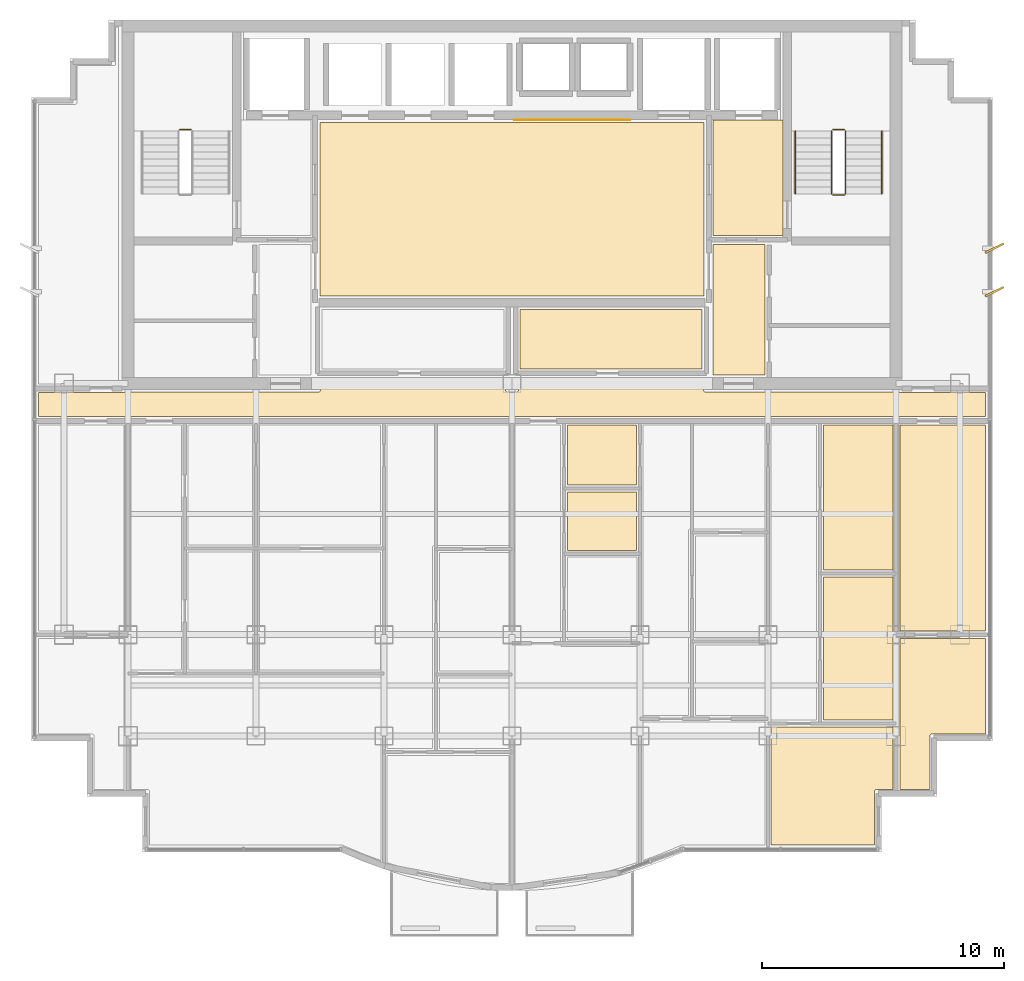
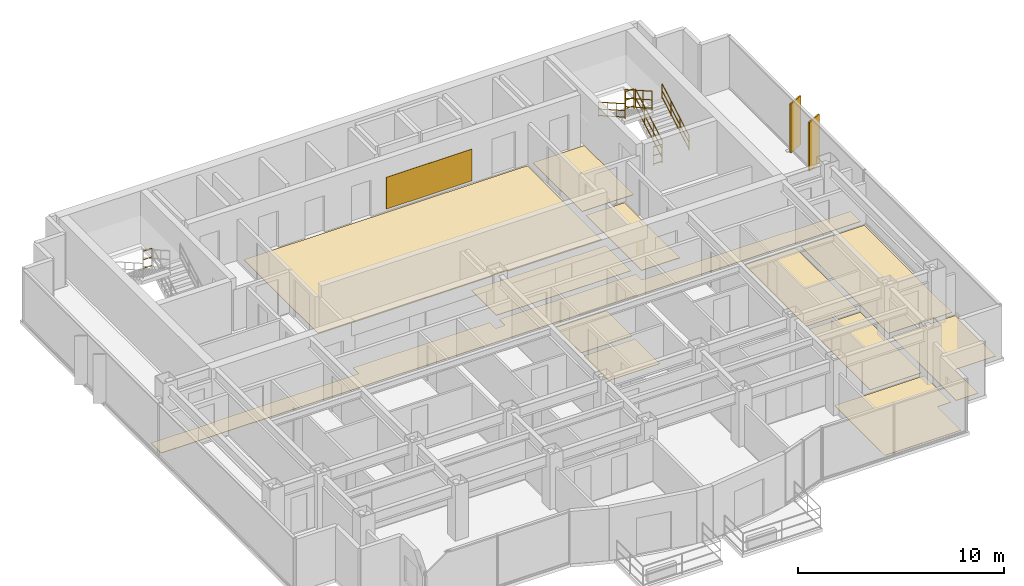
# One storey, part 12 of 12: 13 coverings, 7 railings, 2 shading devices.
"""IFC4 building model written with IfcOpenShell, lengths in metres."""

import ifcopenshell
import ifcopenshell.guid

model = None  # the IFC model being written
_history = None  # IfcOwnerHistory: only IFC2X3 demands one
_inside = {}  # id of a spatial element -> (the spatial element, [elements in it])
_under = {}  # id of a project, library or spatial element -> (it, [spatial elements below it])
_declared = {}  # id of a project -> (the project, [libraries it declares])
_typed = {}  # id of a type object -> (the type object, [elements of that type])
_made_of = {}  # id of a material, layer set ... -> (it, [elements and type objects made of it])


def new_model(schema):
    """Start an empty IFC model of exactly this schema.

    Asked for "IFC4X3", IfcOpenShell would pick the latest addendum, in which some entities
    have other attributes; the version numbers below select the first issue.
    IFC2X3 requires an IfcOwnerHistory on every rooted entity: one is made here for all.
    """
    global model, _history
    if schema == "IFC4X3":
        model = ifcopenshell.file(schema_version=(4, 3, 0, 0))
    else:
        model = ifcopenshell.file(schema=schema)
    _inside.clear()
    _under.clear()
    _declared.clear()
    _typed.clear()
    _made_of.clear()
    _history = None
    if model.schema == "IFC2X3":
        org = make("IfcOrganization", Name="unknown")
        user = make(
            "IfcPersonAndOrganization",
            ThePerson=make("IfcPerson", FamilyName="unknown"),
            TheOrganization=org,
        )
        app = make(
            "IfcApplication",
            ApplicationDeveloper=org,
            Version="unknown",
            ApplicationFullName="unknown",
            ApplicationIdentifier="unknown",
        )
        _history = make(
            "IfcOwnerHistory",
            OwningUser=user,
            OwningApplication=app,
            ChangeAction="ADDED",
            CreationDate=0,
        )
    return model


def make(cls, **values):
    """One entity of the class cls with the attributes given. An attribute that is None is left unset."""
    return model.create_entity(
        cls, **{name: value for name, value in values.items() if value is not None}
    )


def rooted(cls, **values):
    """An entity with a GlobalId (a new one), such as an element, a storey or a relation."""
    return make(cls, GlobalId=ifcopenshell.guid.new(), OwnerHistory=_history, **values)


def si_unit(unit_type, name, prefix=None):
    """IfcSIUnit, for example si_unit("LENGTHUNIT", "METRE", prefix="MILLI")."""
    return make("IfcSIUnit", UnitType=unit_type, Prefix=prefix, Name=name)


def assignment(units):
    """IfcUnitAssignment: the units of a project."""
    return None if units is None else make("IfcUnitAssignment", Units=units)


def point(xyz):
    """IfcCartesianPoint."""
    return None if xyz is None else make("IfcCartesianPoint", Coordinates=xyz)


def direction(xyz):
    """IfcDirection."""
    return None if xyz is None else make("IfcDirection", DirectionRatios=xyz)


def frame(location, z_axis=None, x_axis=None):
    """IfcAxis2Placement3D, a coordinate frame: its origin and axes. An axis left out is left unset."""
    return make(
        "IfcAxis2Placement3D",
        Location=point(location),
        Axis=direction(z_axis),
        RefDirection=direction(x_axis),
    )


def frame_2d(location, x_axis=None):
    """IfcAxis2Placement2D, a coordinate frame in the plane: its origin and x axis."""
    return make(
        "IfcAxis2Placement2D", Location=point(location), RefDirection=direction(x_axis)
    )


def origin():
    """The frame at (0, 0, 0) with its axes left unset."""
    return frame((0.0, 0.0, 0.0))


def origin_2d():
    """The frame at (0, 0) in the plane with its x axis left unset."""
    return frame_2d((0.0, 0.0))


def place(relative_to, where):
    """IfcLocalPlacement: puts the frame where relative to a parent placement (None: the world)."""
    return make(
        "IfcLocalPlacement", PlacementRelTo=relative_to, RelativePlacement=where
    )


def context(
    kind, dimensions, precision=None, world=None, true_north=None, identifier=None
):
    """IfcGeometricRepresentationContext, for example the 3D "Model" context."""
    return make(
        "IfcGeometricRepresentationContext",
        ContextIdentifier=identifier,
        ContextType=kind,
        CoordinateSpaceDimension=dimensions,
        Precision=precision,
        WorldCoordinateSystem=world,
        TrueNorth=true_north,
    )


def subcontext(parent, identifier, kind, view, scale=None):
    """IfcGeometricRepresentationSubContext, for example "Body" below "Model"."""
    return make(
        "IfcGeometricRepresentationSubContext",
        ContextIdentifier=identifier,
        ContextType=kind,
        ParentContext=parent,
        TargetScale=scale,
        TargetView=view,
    )


def project(units=None, contexts=None):
    """IfcProject with its units and contexts."""
    return rooted(
        "IfcProject",
        Name="project",
        RepresentationContexts=contexts,
        UnitsInContext=assignment(units),
    )


def spatial(cls, under=None, at=None, **own):
    """A site, building, storey or space (cls), placed at a placement, below another one or the project."""
    s = rooted(cls, ObjectPlacement=at, **own)
    if under is not None:
        _under.setdefault(under.id(), (under, []))[1].append(s)
    return s


def polyline(points):
    """IfcPolyline through the points."""
    return make("IfcPolyline", Points=[point(p) for p in points])


def profile(cls, at=None, kind="AREA", **sizes):
    """A parametric profile (cls). Its sizes go by their IFC names, for example OverallWidth=200.0."""
    return make(cls, ProfileType=kind, Position=at, **sizes)


def rectangle(**sizes):
    """IfcRectangleProfileDef."""
    return profile("IfcRectangleProfileDef", **sizes)


def circle(**sizes):
    """IfcCircleProfileDef."""
    return profile("IfcCircleProfileDef", **sizes)


def outline(outer, holes=None, kind="AREA"):
    """IfcArbitraryClosedProfileDef: a profile drawn as a closed curve; with holes, ...WithVoids."""
    if holes is None:
        return make("IfcArbitraryClosedProfileDef", ProfileType=kind, OuterCurve=outer)
    return make(
        "IfcArbitraryProfileDefWithVoids",
        ProfileType=kind,
        OuterCurve=outer,
        InnerCurves=holes,
    )


def extrude(swept, where, along, depth):
    """IfcExtrudedAreaSolid: the profile swept, set in the frame where, extruded along a direction by depth."""
    return make(
        "IfcExtrudedAreaSolid",
        SweptArea=swept,
        Position=where,
        ExtrudedDirection=direction(along),
        Depth=depth,
    )


def shape(context_of_items, identifier, shape_type, items):
    """IfcShapeRepresentation: the items that make up one representation, for example the "Body"."""
    return make(
        "IfcShapeRepresentation",
        ContextOfItems=context_of_items,
        RepresentationIdentifier=identifier,
        RepresentationType=shape_type,
        Items=items,
    )


def source(mapping_origin, context_of_items, identifier, shape_type, items):
    """IfcRepresentationMap: a shape defined once, which mapped items show again and again."""
    return make(
        "IfcRepresentationMap",
        MappingOrigin=mapping_origin,
        MappedRepresentation=shape(context_of_items, identifier, shape_type, items),
    )


def transform(
    local_origin,
    x_axis=None,
    y_axis=None,
    z_axis=None,
    scale=None,
    scale2=None,
    scale3=None,
    uniform=True,
):
    """IfcCartesianTransformationOperator3D, or its non-uniform kind. x_axis, y_axis, z_axis: its Axis1, 2, 3."""
    if uniform:
        return make(
            "IfcCartesianTransformationOperator3D",
            Axis1=direction(x_axis),
            Axis2=direction(y_axis),
            LocalOrigin=point(local_origin),
            Scale=scale,
            Axis3=direction(z_axis),
        )
    return make(
        "IfcCartesianTransformationOperator3DnonUniform",
        Axis1=direction(x_axis),
        Axis2=direction(y_axis),
        LocalOrigin=point(local_origin),
        Scale=scale,
        Axis3=direction(z_axis),
        Scale2=scale2,
        Scale3=scale3,
    )


def mapped(mapping_source, mapping_target):
    """IfcMappedItem: shows the shape of a source again, moved by a transform."""
    return make(
        "IfcMappedItem", MappingSource=mapping_source, MappingTarget=mapping_target
    )


def material(Name=None, Category=None):
    """IfcMaterial."""
    return make("IfcMaterial", Name=Name, Category=Category)


def layer(
    of_material, thickness, ventilated=None, Name=None, Category=None, Priority=None
):
    """IfcMaterialLayer: one layer of a wall or slab, of a material (None: an air gap)."""
    return make(
        "IfcMaterialLayer",
        Material=of_material,
        LayerThickness=thickness,
        IsVentilated=ventilated,
        Name=Name,
        Category=Category,
        Priority=Priority,
    )


def layer_set(layers, Name=None):
    """IfcMaterialLayerSet."""
    return make("IfcMaterialLayerSet", MaterialLayers=layers, LayerSetName=Name)


def made_of(thing, what):
    """Note that an element or type object is made of a material, layer set ...; save() writes the relation."""
    if what is not None:
        _made_of.setdefault(what.id(), (what, []))[1].append(thing)
    return thing


def type_object(cls, material=None, **own):
    """A type object (cls), such as IfcWallType, which elements share."""
    return made_of(rooted(cls, **own), material)


def element(
    cls,
    number,
    at=None,
    inside=None,
    cuts=None,
    type_object=None,
    material=None,
    context=None,
    identifier="Body",
    shape_type=None,
    held_by="IfcProductDefinitionShape",
    body=None,
    shapes=None,
    **own,
):
    """One element of the class cls, such as IfcWall. Its Tag is "e" and its number.

    at: its placement. inside: the storey or other place that contains it. cuts: it is an
    opening in that element (IfcRelVoidsElement). A single representation is given by context,
    identifier, shape_type and body (its items); several are given by shapes. held_by: the class
    of the entity that holds the representations. save() writes the other relations.
    """
    e = rooted(cls, Tag="e%d" % number, ObjectPlacement=at, **own)
    if body is not None:
        shapes = [shape(context, identifier, shape_type, body)]
    if shapes is not None:
        e.Representation = make(held_by, Representations=shapes)
    if inside is not None:
        _inside.setdefault(inside.id(), (inside, []))[1].append(e)
    if cuts is not None:
        rooted(
            "IfcRelVoidsElement", RelatingBuildingElement=cuts, RelatedOpeningElement=e
        )
    if type_object is not None:
        _typed.setdefault(type_object.id(), (type_object, []))[1].append(e)
    return made_of(e, material)


def aggregate(whole, parts):
    """IfcRelAggregates: a whole, such as a stair, and the parts it consists of."""
    return rooted("IfcRelAggregates", RelatingObject=whole, RelatedObjects=parts)


def save(model, path):
    """Write the relations noted so far, then the file.

    IfcRelAggregates (storeys below a building ...), IfcRelContainedInSpatialStructure (elements
    in a storey), IfcRelDefinesByType, IfcRelAssociatesMaterial and IfcRelDeclares: one each for
    every whole, place, type object, material and project.
    """
    for whole, parts in _under.values():
        aggregate(whole, parts)
    for where, things in _inside.values():
        rooted(
            "IfcRelContainedInSpatialStructure",
            RelatedElements=things,
            RelatingStructure=where,
        )
    for kind, things in _typed.values():
        rooted("IfcRelDefinesByType", RelatedObjects=things, RelatingType=kind)
    for what, things in _made_of.values():
        rooted("IfcRelAssociatesMaterial", RelatedObjects=things, RelatingMaterial=what)
    for by, libraries in _declared.values():
        rooted("IfcRelDeclares", RelatingContext=by, RelatedDefinitions=libraries)
    model.write(path)


model = new_model("IFC4")

# Units and contexts
model_context = context("Model", 3, precision=1e-05, world=origin(), true_north=direction((0.0, 1.0)))
body_context = subcontext(model_context, "Body", "Model", "MODEL_VIEW")
ifc_project = project(units=[si_unit("LENGTHUNIT", "METRE"), si_unit("AREAUNIT", "SQUARE_METRE"), si_unit("VOLUMEUNIT", "CUBIC_METRE"), si_unit("PLANEANGLEUNIT", "RADIAN"), si_unit("MASSUNIT", "GRAM", prefix="KILO")], contexts=[model_context])

# Site, building, storey
site_placement = place(None, origin())
site = spatial("IfcSite", under=ifc_project, at=site_placement, CompositionType="ELEMENT")
building_placement = place(site_placement, origin())
building = spatial("IfcBuilding", under=site, at=building_placement, Name="Qianlan Lanfeng Residences", CompositionType="ELEMENT")
storey_placement = place(building_placement, frame((0.0, 0.0, 216.5)))
storey = spatial("IfcBuildingStorey", under=building, at=storey_placement, Name="L59", CompositionType="ELEMENT", Elevation=216.5)

# Coverings
ifc_material_1 = material(Name="Anodised Bronze Feature Wall Cladding")
ifc_layer_1 = layer(ifc_material_1, 0.02490234375)
ifc_layer_set_1 = layer_set([ifc_layer_1], Name="Anodised Bronze Feature Wall Cladding")
covering_type_1 = type_object("IfcCoveringType", Name="CLD-BRZ-25", PredefinedType="CLADDING", material=ifc_layer_set_1)
covering_1_placement = place(storey_placement, frame((0.0, 0.0, 0.14990234375)))
element("IfcCovering", 1, at=covering_1_placement, inside=storey, type_object=covering_type_1, Name="L59 Lift Lobby Bronze Feature Cladding", PredefinedType="CLADDING", context=body_context, shape_type="SweptSolid", body=[
    extrude(outline(polyline([(26.60009765625, 36.10009765625), (31.39990234375, 36.10009765625), (31.39990234375, 36.125), (26.60009765625, 36.125), (26.60009765625, 36.10009765625)])), origin(), (0.0, 0.0, 1.0), 1.880126953125),
])
ifc_material_2 = material(Name="Honed Taitung Granite Stone Flooring", Category="masonry")
ifc_layer_2 = layer(ifc_material_2, 0.030029296875)
ifc_layer_set_2 = layer_set([ifc_layer_2], Name="Honed Taitung Granite Stone Flooring")
covering_type_2 = type_object("IfcCoveringType", Name="FLR-STN-30", PredefinedType="FLOORING", material=ifc_layer_set_2)
covering_2_placement = place(storey_placement, origin())
element("IfcCovering", 2, at=covering_2_placement, inside=storey, type_object=covering_type_2, Name="L59 Firefighting Lift Lobby Floor Finish", PredefinedType="FLOORING", context=body_context, shape_type="SweptSolid", body=[
    extrude(outline(polyline([(34.820068359375, 31.320068359375), (37.7099609375, 31.320068359375), (37.7099609375, 36.110107421875), (34.820068359375, 36.110107421875), (34.820068359375, 31.320068359375)])), origin(), (0.0, 0.0, 1.0), 0.030029296875),
])
covering_3_placement = place(storey_placement, origin())
element("IfcCovering", 3, at=covering_3_placement, inside=storey, type_object=covering_type_2, Name="L59 Lift Lobby Floor Finish", PredefinedType="FLOORING", context=body_context, shape_type="SweptSolid", body=[
    extrude(outline(polyline([(18.550048828125, 28.820068359375), (34.449951171875, 28.820068359375), (34.449951171875, 36.010009765625), (18.550048828125, 36.010009765625), (18.550048828125, 28.820068359375)])), origin(), (0.0, 0.0, 1.0), 0.030029296875),
])
covering_4_placement = place(storey_placement, origin())
element("IfcCovering", 4, at=covering_4_placement, inside=storey, type_object=covering_type_2, Name="L59 Residential Corridor Floor Finish", PredefinedType="FLOORING", context=body_context, shape_type="SweptSolid", body=[
    extrude(outline(polyline([(6.889892578125, 23.830078125), (46.110107421875, 23.830078125), (46.110107421875, 24.820068359375), (42.5400390625, 24.820068359375), (42.532958984375, 24.820068359375), (42.52587890625, 24.821044921875), (42.52001953125, 24.822998046875), (42.512939453125, 24.824951171875), (42.507080078125, 24.827880859375), (42.5009765625, 24.83203125), (42.49609375, 24.8359375), (42.490966796875, 24.841064453125), (42.486083984375, 24.845947265625), (42.48291015625, 24.85009765625), (34.5, 24.85009765625), (34.492919921875, 24.85009765625), (34.486083984375, 24.85107421875), (34.47998046875, 24.85302734375), (34.472900390625, 24.85498046875), (34.467041015625, 24.85791015625), (34.4609375, 24.862060546875), (34.4560546875, 24.865966796875), (34.450927734375, 24.87109375), (34.446044921875, 24.8759765625), (34.44189453125, 24.881103515625), (34.43798828125, 24.886962890625), (34.43505859375, 24.89306640625), (34.43310546875, 24.89990234375), (34.430908203125, 24.906005859375), (34.429931640625, 24.9130859375), (34.429931640625, 24.919921875), (34.429931640625, 25.429931640625), (26.77001953125, 25.429931640625), (26.77001953125, 24.919921875), (26.77001953125, 24.9130859375), (26.76904296875, 24.906005859375), (26.76708984375, 24.89990234375), (26.764892578125, 24.89306640625), (26.761962890625, 24.886962890625), (26.758056640625, 24.881103515625), (26.75390625, 24.8759765625), (26.7490234375, 24.87109375), (26.743896484375, 24.865966796875), (26.739013671875, 24.862060546875), (26.73291015625, 24.85791015625), (26.72705078125, 24.85498046875), (26.719970703125, 24.85302734375), (26.714111328125, 24.85107421875), (26.70703125, 24.85009765625), (26.699951171875, 24.85009765625), (26.300048828125, 24.85009765625), (26.29296875, 24.85009765625), (26.285888671875, 24.85107421875), (26.280029296875, 24.85302734375), (26.27294921875, 24.85498046875), (26.26708984375, 24.85791015625), (26.260986328125, 24.862060546875), (26.256103515625, 24.865966796875), (26.2509765625, 24.87109375), (26.24609375, 24.8759765625), (26.241943359375, 24.881103515625), (26.238037109375, 24.886962890625), (26.235107421875, 24.89306640625), (26.23291015625, 24.89990234375), (26.23095703125, 24.906005859375), (26.22998046875, 24.9130859375), (26.22998046875, 24.919921875), (26.22998046875, 25.429931640625), (18.570068359375, 25.429931640625), (18.570068359375, 24.919921875), (18.570068359375, 24.9130859375), (18.569091796875, 24.906005859375), (18.56689453125, 24.89990234375), (18.56494140625, 24.89306640625), (18.56201171875, 24.886962890625), (18.55810546875, 24.881103515625), (18.553955078125, 24.8759765625), (18.549072265625, 24.87109375), (18.5439453125, 24.865966796875), (18.5390625, 24.862060546875), (18.532958984375, 24.85791015625), (18.527099609375, 24.85498046875), (18.52001953125, 24.85302734375), (18.513916015625, 24.85107421875), (18.507080078125, 24.85009765625), (18.5, 24.85009765625), (10.51708984375, 24.85009765625), (10.513916015625, 24.845947265625), (10.509033203125, 24.841064453125), (10.50390625, 24.8359375), (10.4990234375, 24.83203125), (10.492919921875, 24.827880859375), (10.487060546875, 24.824951171875), (10.47998046875, 24.822998046875), (10.47412109375, 24.821044921875), (10.467041015625, 24.820068359375), (10.4599609375, 24.820068359375), (6.889892578125, 24.820068359375), (6.889892578125, 23.830078125)])), origin(), (0.0, 0.0, 1.0), 0.030029296875),
])
covering_5_placement = place(storey_placement, origin())
element("IfcCovering", 5, at=covering_5_placement, inside=storey, type_object=covering_type_2, Name="L59 Lift Lobby Floor Finish", PredefinedType="FLOORING", context=body_context, shape_type="SweptSolid", body=[
    extrude(outline(polyline([(34.830078125, 25.56005859375), (36.969970703125, 25.56005859375), (36.969970703125, 30.949951171875), (34.830078125, 30.949951171875), (34.830078125, 25.56005859375)])), origin(), (0.0, 0.0, 1.0), 0.030029296875),
])
ifc_material_3 = material(Name="Slip-Resistant Porcelain Tile Flooring")
ifc_layer_3 = layer(ifc_material_3, 0.02001953125)
ifc_layer_set_3 = layer_set([ifc_layer_3], Name="Slip-Resistant Porcelain Tile Flooring")
covering_type_3 = type_object("IfcCoveringType", Name="FLR-TIL-20", PredefinedType="FLOORING", material=ifc_layer_set_3)
covering_6_placement = place(storey_placement, origin())
element("IfcCovering", 6, at=covering_6_placement, inside=storey, type_object=covering_type_3, Name="L59 Kitchen Floor Finish", PredefinedType="FLOORING", context=body_context, shape_type="SweptSolid", body=[
    extrude(outline(polyline([(28.7900390625, 18.2900390625), (31.659912109375, 18.2900390625), (31.659912109375, 20.7099609375), (28.7900390625, 20.7099609375), (28.7900390625, 18.2900390625)])), origin(), (0.0, 0.0, 1.0), 0.02001953125),
])
covering_7_placement = place(storey_placement, origin())
element("IfcCovering", 7, at=covering_7_placement, inside=storey, type_object=covering_type_3, Name="L59 Bathroom Floor Finish", PredefinedType="FLOORING", context=body_context, shape_type="SweptSolid", body=[
    extrude(outline(polyline([(28.7900390625, 20.989990234375), (31.659912109375, 20.989990234375), (31.659912109375, 23.47998046875), (28.7900390625, 23.47998046875), (28.7900390625, 20.989990234375)])), origin(), (0.0, 0.0, 1.0), 0.02001953125),
])
ifc_material_4 = material(Name="Engineered Smoked Oak Timber Flooring", Category="wood")
ifc_layer_4 = layer(ifc_material_4, 0.02197265625)
ifc_layer_set_4 = layer_set([ifc_layer_4], Name="Engineered Smoked Oak Timber Flooring")
covering_type_4 = type_object("IfcCoveringType", Name="FLR-TIM-22", PredefinedType="FLOORING", material=ifc_layer_set_4)
covering_8_placement = place(storey_placement, origin())
element("IfcCovering", 8, at=covering_8_placement, inside=storey, type_object=covering_type_4, Name="L59 Harbour Viewing Lounge Floor Finish", PredefinedType="FLOORING", context=body_context, shape_type="SweptSolid", body=[
    extrude(outline(polyline([(26.830078125, 25.800048828125), (34.3701171875, 25.800048828125), (34.3701171875, 28.2548828125), (26.830078125, 28.2548828125), (26.830078125, 25.800048828125)])), origin(), (0.0, 0.0, 1.0), 0.02197265625),
])
covering_9_placement = place(storey_placement, origin())
element("IfcCovering", 9, at=covering_9_placement, inside=storey, type_object=covering_type_4, Name="L59 Bedroom Floor Finish", PredefinedType="FLOORING", context=body_context, shape_type="SweptSolid", body=[
    extrude(outline(polyline([(37.22998046875, 10.97998046875), (37.22998046875, 6.090087890625), (41.510009765625, 6.090087890625), (41.510009765625, 8.320068359375), (41.510009765625, 8.326904296875), (41.510986328125, 8.333984375), (41.512939453125, 8.340087890625), (41.514892578125, 8.346923828125), (41.51806640625, 8.35302734375), (41.52197265625, 8.35888671875), (41.52587890625, 8.364013671875), (41.531005859375, 8.368896484375), (41.535888671875, 8.3740234375), (41.541015625, 8.3779296875), (41.547119140625, 8.382080078125), (41.552978515625, 8.385009765625), (41.56005859375, 8.386962890625), (41.56591796875, 8.388916015625), (41.572998046875, 8.389892578125), (41.580078125, 8.389892578125), (42.27001953125, 8.389892578125), (42.27001953125, 10.97998046875), (37.22998046875, 10.97998046875)])), origin(), (0.0, 0.0, 1.0), 0.02197265625),
])
covering_10_placement = place(storey_placement, origin())
element("IfcCovering", 10, at=covering_10_placement, inside=storey, type_object=covering_type_4, Name="L59 Private Study Floor Finish", PredefinedType="FLOORING", context=body_context, shape_type="SweptSolid", body=[
    extrude(outline(polyline([(39.389892578125, 11.260009765625), (42.27001953125, 11.260009765625), (42.27001953125, 17.195068359375), (39.389892578125, 17.195068359375), (39.389892578125, 11.260009765625)])), origin(), (0.0, 0.0, 1.0), 0.02197265625),
])
covering_11_placement = place(storey_placement, origin())
element("IfcCovering", 11, at=covering_11_placement, inside=storey, type_object=covering_type_4, Name="L59 Yoga Studio Floor Finish", PredefinedType="FLOORING", context=body_context, shape_type="SweptSolid", body=[
    extrude(outline(polyline([(39.389892578125, 17.47509765625), (42.27001953125, 17.47509765625), (42.27001953125, 23.47998046875), (39.389892578125, 23.47998046875), (39.389892578125, 17.47509765625)])), origin(), (0.0, 0.0, 1.0), 0.02197265625),
])
covering_12_placement = place(storey_placement, origin())
element("IfcCovering", 12, at=covering_12_placement, inside=storey, type_object=covering_type_4, Name="L59 Sunroom Floor Finish", PredefinedType="FLOORING", context=body_context, shape_type="SweptSolid", body=[
    extrude(outline(polyline([(46.110107421875, 14.64990234375), (42.56005859375, 14.64990234375), (42.56005859375, 8.389892578125), (43.81005859375, 8.389892578125), (43.81005859375, 10.6201171875), (43.81005859375, 10.626953125), (43.81103515625, 10.634033203125), (43.81298828125, 10.639892578125), (43.81494140625, 10.64697265625), (43.818115234375, 10.653076171875), (43.822021484375, 10.658935546875), (43.825927734375, 10.6640625), (43.8310546875, 10.6689453125), (43.8359375, 10.674072265625), (43.841064453125, 10.677978515625), (43.846923828125, 10.681884765625), (43.85302734375, 10.68505859375), (43.860107421875, 10.68701171875), (43.865966796875, 10.68896484375), (43.873046875, 10.68994140625), (43.8798828125, 10.68994140625), (46.110107421875, 10.68994140625), (46.110107421875, 14.64990234375)])), origin(), (0.0, 0.0, 1.0), 0.02197265625),
])
covering_13_placement = place(storey_placement, origin())
element("IfcCovering", 13, at=covering_13_placement, inside=storey, type_object=covering_type_4, Name="L59 Private Study Floor Finish", PredefinedType="FLOORING", context=body_context, shape_type="SweptSolid", body=[
    extrude(outline(polyline([(46.110107421875, 23.47998046875), (42.56005859375, 23.47998046875), (42.56005859375, 14.949951171875), (46.110107421875, 14.949951171875), (46.110107421875, 23.47998046875)])), origin(), (0.0, 0.0, 1.0), 0.02197265625),
])

# Railings
ifc_material_5 = material(Name="Painted Galvanised Steel Guardrail", Category="steel")
railing_type_1 = type_object("IfcRailingType", Name="GR-ST-1120", PredefinedType="GUARDRAIL", material=ifc_material_5)
railing_1_placement = place(storey_placement, frame((13.219970703125, 35.7099609375, 1.64990234375)))
element("IfcRailing", 14, at=railing_1_placement, inside=storey, type_object=railing_type_1, Name="L59 ST-1 stair guard 2", PredefinedType="GUARDRAIL", context=body_context, shape_type="SweptSolid", body=[
    extrude(circle(Radius=0.02392578125, at=origin_2d()), frame((0.0, 0.0, 0.083984375), z_axis=(-1.0, 0.0, 0.0), x_axis=(0.0, -1.0, 0.0)), (0.0, 0.0, 1.0), 0.47998046875),
    extrude(circle(Radius=0.02392578125, at=origin_2d()), frame((0.0, 0.0, 0.58251953125), z_axis=(-1.0, 0.0, 0.0), x_axis=(0.0, -1.0, 0.0)), (0.0, 0.0, 1.0), 0.47998046875),
    extrude(circle(Radius=0.02392578125, at=origin_2d()), frame((0.0, 0.0, 1.09619140625), z_axis=(-1.0, 0.0, 0.0), x_axis=(0.0, -1.0, 0.0)), (0.0, 0.0, 1.0), 0.47998046875),
    extrude(circle(Radius=0.02099609375, at=origin_2d()), origin(), (0.0, 0.0, 1.0), 1.072021484375),
    extrude(circle(Radius=0.02099609375, at=origin_2d()), frame((-0.47998046875, 0.0, 0.0)), (0.0, 0.0, 1.0), 1.072021484375),
])
railing_2_placement = place(storey_placement, frame((40.31005859375, 33.050048828125, 0.1650390625)))
element("IfcRailing", 15, at=railing_2_placement, inside=storey, type_object=railing_type_1, Name="L59 ST-2 stair guard 1", PredefinedType="GUARDRAIL", context=body_context, shape_type="SweptSolid", body=[
    extrude(circle(Radius=0.02392578125, at=origin_2d()), frame((0.0, 0.0, 0.083984375), z_axis=(0.0, 0.869172267526, 0.494509422927), x_axis=(-1.0, 0.0, 0.0)), (0.0, 0.0, 1.0), 3.002685546875),
    extrude(circle(Radius=0.02392578125, at=origin_2d()), frame((0.0, 0.0, 0.58251953125), z_axis=(0.0, 0.869172267526, 0.494509422927), x_axis=(-1.0, 0.0, 0.0)), (0.0, 0.0, 1.0), 3.002685546875),
    extrude(circle(Radius=0.02392578125, at=origin_2d()), frame((0.0, 0.0, 1.09619140625), z_axis=(0.0, 0.869172267526, 0.494509422927), x_axis=(-1.0, 0.0, 0.0)), (0.0, 0.0, 1.0), 3.002685546875),
    extrude(circle(Radius=0.02099609375, at=origin_2d()), origin(), (0.0, 0.0, 1.0), 1.072021484375),
    extrude(circle(Radius=0.02099609375, at=origin_2d()), frame((0.0, 0.869873046875, 0.494873046875)), (0.0, 0.0, 1.0), 1.072021484375),
    extrude(circle(Radius=0.02099609375, at=origin_2d()), frame((0.0, 1.739990234375, 0.989990234375)), (0.0, 0.0, 1.0), 1.072021484375),
    extrude(circle(Radius=0.02099609375, at=origin_2d()), frame((0.0, 2.60986328125, 1.48486328125)), (0.0, 0.0, 1.0), 1.072021484375),
])
railing_3_placement = place(storey_placement, frame((40.260009765625, 35.7099609375, 1.64990234375)))
element("IfcRailing", 16, at=railing_3_placement, inside=storey, type_object=railing_type_1, Name="L59 ST-2 stair guard 2", PredefinedType="GUARDRAIL", context=body_context, shape_type="SweptSolid", body=[
    extrude(circle(Radius=0.02392578125, at=origin_2d()), frame((0.0, 0.0, 0.083984375), z_axis=(-1.0, 0.0, 0.0), x_axis=(0.0, -1.0, 0.0)), (0.0, 0.0, 1.0), 0.47998046875),
    extrude(circle(Radius=0.02392578125, at=origin_2d()), frame((0.0, 0.0, 0.58251953125), z_axis=(-1.0, 0.0, 0.0), x_axis=(0.0, -1.0, 0.0)), (0.0, 0.0, 1.0), 0.47998046875),
    extrude(circle(Radius=0.02392578125, at=origin_2d()), frame((0.0, 0.0, 1.09619140625), z_axis=(-1.0, 0.0, 0.0), x_axis=(0.0, -1.0, 0.0)), (0.0, 0.0, 1.0), 0.47998046875),
    extrude(circle(Radius=0.02099609375, at=origin_2d()), origin(), (0.0, 0.0, 1.0), 1.072021484375),
    extrude(circle(Radius=0.02099609375, at=origin_2d()), frame((-0.47998046875, 0.0, 0.0)), (0.0, 0.0, 1.0), 1.072021484375),
])
railing_4_placement = place(storey_placement, frame((39.72998046875, 35.659912109375, 1.81494140625)))
element("IfcRailing", 17, at=railing_4_placement, inside=storey, type_object=railing_type_1, Name="L59 ST-2 stair guard 3", PredefinedType="GUARDRAIL", context=body_context, shape_type="SweptSolid", body=[
    extrude(circle(Radius=0.02392578125, at=origin_2d()), frame((0.0, 0.0, 0.083984375), z_axis=(0.0, -0.869137319866, 0.494570843475), x_axis=(1.0, 0.0, 0.0)), (0.0, 0.0, 1.0), 3.0029296875),
    extrude(circle(Radius=0.02392578125, at=origin_2d()), frame((0.0, 0.0, 0.58251953125), z_axis=(0.0, -0.869137319866, 0.494570843475), x_axis=(1.0, 0.0, 0.0)), (0.0, 0.0, 1.0), 3.0029296875),
    extrude(circle(Radius=0.02392578125, at=origin_2d()), frame((0.0, 0.0, 1.09619140625), z_axis=(0.0, -0.869137319866, 0.494570843475), x_axis=(1.0, 0.0, 0.0)), (0.0, 0.0, 1.0), 3.0029296875),
    extrude(circle(Radius=0.02099609375, at=origin_2d()), origin(), (0.0, 0.0, 1.0), 1.072021484375),
    extrude(circle(Radius=0.02099609375, at=origin_2d()), frame((0.0, -0.869873046875, 0.4951171875)), (0.0, 0.0, 1.0), 1.072021484375),
    extrude(circle(Radius=0.02099609375, at=origin_2d()), frame((0.0, -1.739990234375, 0.989990234375)), (0.0, 0.0, 1.0), 1.072021484375),
    extrude(circle(Radius=0.02099609375, at=origin_2d()), frame((0.0, -2.60986328125, 1.485107421875)), (0.0, 0.0, 1.0), 1.072021484375),
])
railing_5_placement = place(storey_placement, frame((40.260009765625, 33.0, 0.0)))
element("IfcRailing", 18, at=railing_5_placement, inside=storey, type_object=railing_type_1, Name="L59 ST-2 stair guard 4", PredefinedType="GUARDRAIL", context=body_context, shape_type="SweptSolid", body=[
    extrude(circle(Radius=0.02392578125, at=origin_2d()), frame((0.0, 0.0, 0.083984375), z_axis=(-1.0, 0.0, 0.0), x_axis=(0.0, -1.0, 0.0)), (0.0, 0.0, 1.0), 0.47998046875),
    extrude(circle(Radius=0.02392578125, at=origin_2d()), frame((0.0, 0.0, 0.58251953125), z_axis=(-1.0, 0.0, 0.0), x_axis=(0.0, -1.0, 0.0)), (0.0, 0.0, 1.0), 0.47998046875),
    extrude(circle(Radius=0.02392578125, at=origin_2d()), frame((0.0, 0.0, 1.09619140625), z_axis=(-1.0, 0.0, 0.0), x_axis=(0.0, -1.0, 0.0)), (0.0, 0.0, 1.0), 0.47998046875),
    extrude(circle(Radius=0.02099609375, at=origin_2d()), origin(), (0.0, 0.0, 1.0), 1.072021484375),
    extrude(circle(Radius=0.02099609375, at=origin_2d()), frame((-0.47998046875, 0.0, 0.0)), (0.0, 0.0, 1.0), 1.072021484375),
])
ifc_material_6 = material(Name="Brushed Stainless Steel Handrail", Category="steel")
railing_type_2 = type_object("IfcRailingType", Name="HR-ST-920", PredefinedType="HANDRAIL", material=ifc_material_6)
railing_6_placement = place(storey_placement, frame((41.81005859375, 33.050048828125, 0.1650390625)))
element("IfcRailing", 19, at=railing_6_placement, inside=storey, type_object=railing_type_2, Name="L59 ST-2 stair handrail 1", PredefinedType="HANDRAIL", context=body_context, shape_type="SweptSolid", body=[
    extrude(circle(Radius=0.02392578125, at=origin_2d()), frame((0.0, 0.0, 0.083984375), z_axis=(0.0, 0.869172267526, 0.494509422927), x_axis=(-1.0, 0.0, 0.0)), (0.0, 0.0, 1.0), 3.002685546875),
    extrude(circle(Radius=0.02392578125, at=origin_2d()), frame((0.0, 0.0, 0.468017578125), z_axis=(0.0, 0.869172267526, 0.494509422927), x_axis=(-1.0, 0.0, 0.0)), (0.0, 0.0, 1.0), 3.002685546875),
    extrude(circle(Radius=0.02392578125, at=origin_2d()), frame((0.0, 0.0, 0.8759765625), z_axis=(0.0, 0.869172267526, 0.494509422927), x_axis=(-1.0, 0.0, 0.0)), (0.0, 0.0, 1.0), 3.002685546875),
    extrude(circle(Radius=0.02099609375, at=origin_2d()), origin(), (0.0, 0.0, 1.0), 0.851806640625),
    extrude(circle(Radius=0.02099609375, at=origin_2d()), frame((0.0, 0.869873046875, 0.494873046875)), (0.0, 0.0, 1.0), 0.851806640625),
    extrude(circle(Radius=0.02099609375, at=origin_2d()), frame((0.0, 1.739990234375, 0.989990234375)), (0.0, 0.0, 1.0), 0.851806640625),
    extrude(circle(Radius=0.02099609375, at=origin_2d()), frame((0.0, 2.60986328125, 1.48486328125)), (0.0, 0.0, 1.0), 0.851806640625),
])
railing_7_placement = place(storey_placement, frame((38.22998046875, 35.659912109375, 1.81494140625)))
element("IfcRailing", 20, at=railing_7_placement, inside=storey, type_object=railing_type_2, Name="L59 ST-2 stair handrail 2", PredefinedType="HANDRAIL", context=body_context, shape_type="SweptSolid", body=[
    extrude(circle(Radius=0.02392578125, at=origin_2d()), frame((0.0, 0.0, 0.083984375), z_axis=(0.0, -0.869137319866, 0.494570843475), x_axis=(1.0, 0.0, 0.0)), (0.0, 0.0, 1.0), 3.0029296875),
    extrude(circle(Radius=0.02392578125, at=origin_2d()), frame((0.0, 0.0, 0.468017578125), z_axis=(0.0, -0.869137319866, 0.494570843475), x_axis=(1.0, 0.0, 0.0)), (0.0, 0.0, 1.0), 3.0029296875),
    extrude(circle(Radius=0.02392578125, at=origin_2d()), frame((0.0, 0.0, 0.8759765625), z_axis=(0.0, -0.869137319866, 0.494570843475), x_axis=(1.0, 0.0, 0.0)), (0.0, 0.0, 1.0), 3.0029296875),
    extrude(circle(Radius=0.02099609375, at=origin_2d()), origin(), (0.0, 0.0, 1.0), 0.851806640625),
    extrude(circle(Radius=0.02099609375, at=origin_2d()), frame((0.0, -0.869873046875, 0.4951171875)), (0.0, 0.0, 1.0), 0.851806640625),
    extrude(circle(Radius=0.02099609375, at=origin_2d()), frame((0.0, -1.739990234375, 0.989990234375)), (0.0, 0.0, 1.0), 0.851806640625),
    extrude(circle(Radius=0.02099609375, at=origin_2d()), frame((0.0, -2.60986328125, 1.485107421875)), (0.0, 0.0, 1.0), 0.851806640625),
])

# Shading devices
ifc_material_7 = material(Name="Anodised Bronze Aluminium Solar Fin", Category="aluminium")
shading_device_type = type_object("IfcShadingDeviceType", Name="FIN-BRZ-850", PredefinedType="SHUTTER", material=ifc_material_7)
shared_shape = source(origin(), body_context, "Body", "SweptSolid", [
    extrude(rectangle(XDim=0.85009765625, YDim=0.080078125, at=origin_2d()), origin(), (0.0, 0.0, 1.0), 2.89990234375),
])
for number, where, z_axis, x_axis, name in (
    (21, (46.469970703125, 29.0, 0.0), (0.0, 0.0, 1.0), (0.898794046299, 0.438371146789, 0.0), "L59 Raked Bronze Solar Fin E1"),
    (22, (46.469970703125, 30.800048828125, 0.0), (0.0, 0.0, 1.0), (0.898794046299, 0.438371146789, 0.0), "L59 Raked Bronze Solar Fin E2"),
):
    element("IfcShadingDevice", number, at=place(storey_placement, frame(where, z_axis=z_axis, x_axis=x_axis)), inside=storey, type_object=shading_device_type, Name=name, PredefinedType="SHUTTER", context=body_context, shape_type="MappedRepresentation", body=[
        mapped(shared_shape, transform((0.0, 0.0, 0.0), scale=1.0)),
    ])

save(model, "model.ifc")
